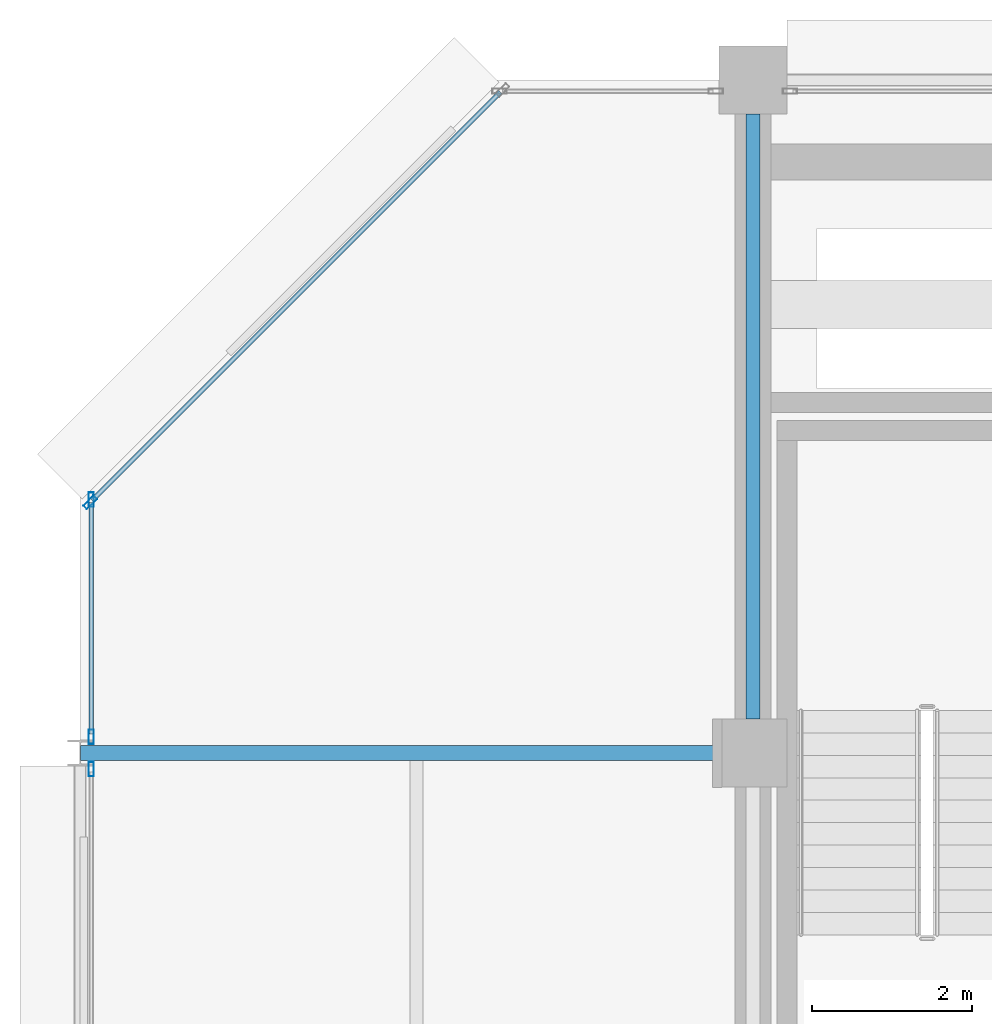
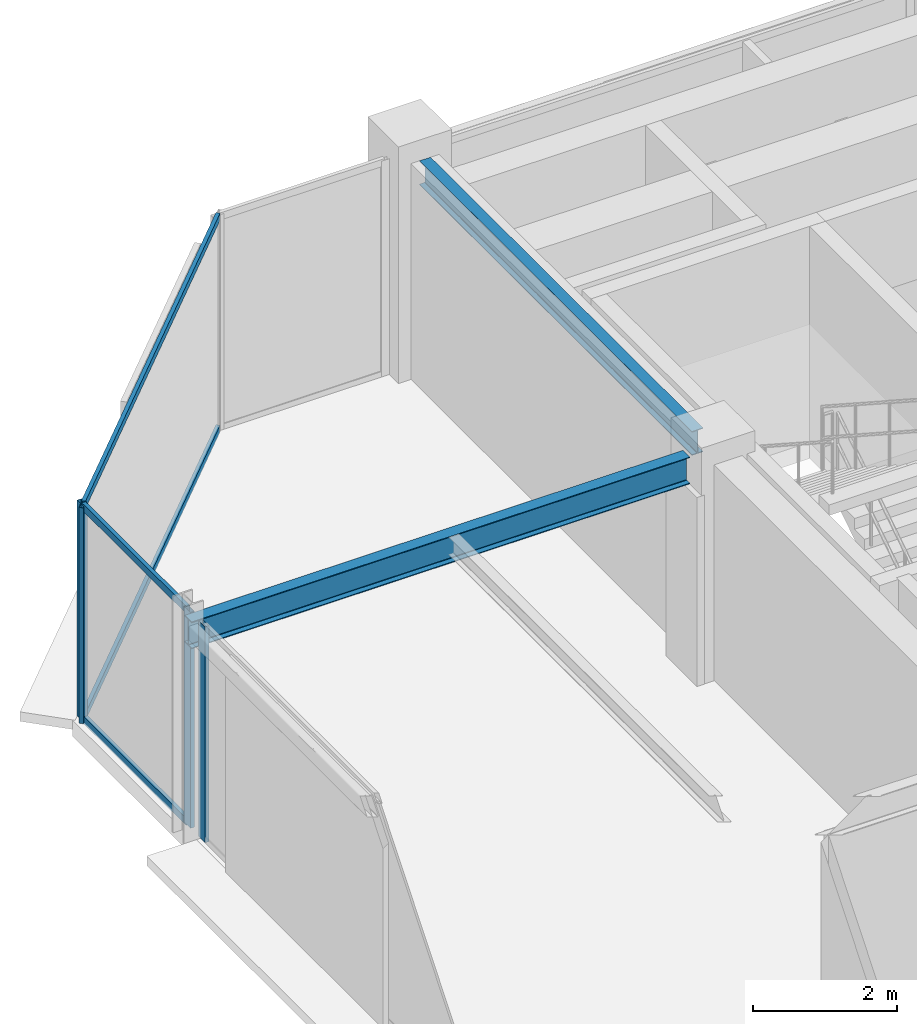
# One storey, part 16 of 25: 8 members, 2 beams, 3 elements without a shape of their own.
"""IFC4 building model written with IfcOpenShell, lengths in metres."""

from ifc_helpers import new_model, si_unit, direction, frame, origin, origin_2d, place, context, subcontext, project, spatial, hollow_rectangle, i_section, extrude, material, layer, layer_set, material_profile, profile_set, type_object, element, aggregate, save


model = new_model("IFC4")

# Units and contexts
model_context = context("Model", 3, precision=1e-05, world=origin(), true_north=direction((0.0, 1.0)))
body_context = subcontext(model_context, "Body", "Model", "MODEL_VIEW")
ifc_project = project(units=[si_unit("LENGTHUNIT", "METRE"), si_unit("AREAUNIT", "SQUARE_METRE"), si_unit("VOLUMEUNIT", "CUBIC_METRE"), si_unit("PLANEANGLEUNIT", "RADIAN"), si_unit("MASSUNIT", "GRAM", prefix="KILO")], contexts=[model_context])

# Site, building, storey
site_placement = place(None, origin())
site = spatial("IfcSite", under=ifc_project, at=site_placement, CompositionType="ELEMENT")
building_placement = place(site_placement, origin())
building = spatial("IfcBuilding", under=site, at=building_placement, Name="Nerrivon Quay Data Exchange", CompositionType="ELEMENT")
storey_placement = place(building_placement, frame((0.0, 0.0, 318.199951171875)))
storey = spatial("IfcBuildingStorey", under=building, at=storey_placement, Name="L76", CompositionType="ELEMENT", Elevation=318.199951171875)

# Beams
ifc_material_1 = material(Name="Steel Grade 350", Category="steel")
ifc_material_profile_1 = material_profile(ifc_material_1, i_section(OverallWidth=0.18994140625, OverallDepth=0.4541015625, WebThickness=0.008544921875, FlangeThickness=0.0126953125, FilletRadius=0.011474609375, at=origin_2d()), Name="460UB67.1")
ifc_profile_set_1 = profile_set([ifc_material_profile_1], Name="Steel Grade 350")
beam_type_1 = type_object("IfcBeamType", Name="BM-G6-460UB67", PredefinedType="BEAM", material=ifc_profile_set_1)
beam_1_placement = place(storey_placement, frame((0.0078125, 33.60009765625, 3.423095703125), z_axis=(1.0, 0.0, 0.0), x_axis=(0.0, 1.0, 0.0)))
element("IfcBeam", 1, at=beam_1_placement, inside=storey, type_object=beam_type_1, Name="L76 EW Girder Y=33.6 (0.0..8.4)", PredefinedType="BEAM", context=body_context, shape_type="SweptSolid", body=[
    extrude(i_section(OverallWidth=0.18994140625, OverallDepth=0.4541015625, WebThickness=0.008544921875, FlangeThickness=0.0126953125, FilletRadius=0.011474609375, at=origin_2d()), origin(), (0.0, 0.0, 1.0), 7.96728515625),
])
ifc_material_profile_2 = material_profile(ifc_material_1, i_section(OverallWidth=0.177978515625, OverallDepth=0.406005859375, WebThickness=0.0078125, FlangeThickness=0.0126953125, FilletRadius=0.011474609375, at=origin_2d()), Name="410UB59.7")
ifc_profile_set_2 = profile_set([ifc_material_profile_2], Name="Steel Grade 350")
beam_type_2 = type_object("IfcBeamType", Name="BM-J1-410UB60", PredefinedType="JOIST", material=ifc_profile_set_2)
beam_2_placement = place(storey_placement, frame((8.39990234375, 34.02490234375, 3.447021484375), z_axis=(0.0, 1.0, 0.0), x_axis=(-1.0, 0.0, 0.0)))
element("IfcBeam", 2, at=beam_2_placement, inside=storey, type_object=beam_type_2, Name="L76 NS Girder X=8.4 (33.6..42.0)", PredefinedType="JOIST", context=body_context, shape_type="SweptSolid", body=[
    extrude(i_section(OverallWidth=0.177978515625, OverallDepth=0.406005859375, WebThickness=0.0078125, FlangeThickness=0.0126953125, FilletRadius=0.011474609375, at=origin_2d()), origin(), (0.0, 0.0, 1.0), 7.550048828125),
])

# Curtain wall, member
ifc_material_2 = material(Name="Anodised aluminium 6063-T6", Category="aluminium")
ifc_layer = layer(ifc_material_2, 0.195068359375)
ifc_layer_set = layer_set([ifc_layer], Name="Anodised aluminium 6063-T6")
curtain_wall_type = type_object("IfcCurtainWallType", Name="CW-SYS-06", PredefinedType="NOTDEFINED", material=ifc_layer_set)
curtain_wall_1_placement = place(storey_placement, origin())
curtain_wall_1 = element("IfcCurtainWall", 3, at=curtain_wall_1_placement, inside=storey, type_object=curtain_wall_type, Name="L76 Unitised Curtain Wall 11", PredefinedType="NOTDEFINED")
ifc_material_profile_3 = material_profile(ifc_material_2, hollow_rectangle(XDim=0.06494140625, YDim=0.179931640625, WallThickness=0.00341796875, at=origin_2d()), Name="ALU-MULL-180x65")
ifc_profile_set_3 = profile_set([ifc_material_profile_3], Name="Anodised aluminium 6063-T6")
member_type_1 = type_object("IfcMemberType", Name="CWM-180x65", PredefinedType="MULLION", material=ifc_profile_set_3)
member_1_placement = place(storey_placement, frame((0.139892578125, 33.39892578125, 0.0), z_axis=(0.0, 0.0, 1.0), x_axis=(-1.0, 0.0, 0.0)))
member_1 = element("IfcMember", 4, at=member_1_placement, type_object=member_type_1, Name="CW06 mullion 2", PredefinedType="MULLION", context=body_context, shape_type="SweptSolid", body=[
    extrude(hollow_rectangle(XDim=0.06494140625, YDim=0.179931640625, WallThickness=0.00341796875, at=origin_2d()), origin(), (0.0, 0.0, 1.0), 3.650146484375),
])
aggregate(curtain_wall_1, [member_1])

# Curtain wall, members
curtain_wall_2_placement = place(storey_placement, origin())
curtain_wall_2 = element("IfcCurtainWall", 5, at=curtain_wall_2_placement, inside=storey, type_object=curtain_wall_type, Name="L76 Unitised Curtain Wall 12", PredefinedType="NOTDEFINED")
member_2_placement = place(storey_placement, frame((0.139892578125, 33.801025390625, 0.0), z_axis=(0.0, 0.0, 1.0), x_axis=(-1.0, 0.0, 0.0)))
member_2 = element("IfcMember", 6, at=member_2_placement, type_object=member_type_1, Name="CW06 mullion 1", PredefinedType="MULLION", context=body_context, shape_type="SweptSolid", body=[
    extrude(hollow_rectangle(XDim=0.06494140625, YDim=0.179931640625, WallThickness=0.00341796875, at=origin_2d()), origin(), (0.0, 0.0, 1.0), 3.650146484375),
])
member_3_placement = place(storey_placement, frame((0.139892578125, 36.762451171875, 0.0), z_axis=(0.0, 0.0, 1.0), x_axis=(-1.0, 0.0, 0.0)))
member_3 = element("IfcMember", 7, at=member_3_placement, type_object=member_type_1, Name="CW06 mullion 2", PredefinedType="MULLION", context=body_context, shape_type="SweptSolid", body=[
    extrude(hollow_rectangle(XDim=0.06494140625, YDim=0.179931640625, WallThickness=0.00341796875, at=origin_2d()), origin(), (0.0, 0.0, 1.0), 3.650146484375),
])

# Curtain wall, member
curtain_wall_3_placement = place(storey_placement, origin())
curtain_wall_3 = element("IfcCurtainWall", 8, at=curtain_wall_3_placement, inside=storey, type_object=curtain_wall_type, Name="L76 Unitised Curtain Wall 13", PredefinedType="NOTDEFINED")
member_4_placement = place(storey_placement, frame((0.12548828125, 36.7275390625, 0.0), z_axis=(0.0, 0.0, 1.0), x_axis=(-0.707106781187, 0.707106781187, 0.0)))
member_4 = element("IfcMember", 9, at=member_4_placement, type_object=member_type_1, Name="CW06 mullion 1", PredefinedType="MULLION", context=body_context, shape_type="SweptSolid", body=[
    extrude(hollow_rectangle(XDim=0.06494140625, YDim=0.179931640625, WallThickness=0.00341796875, at=origin_2d()), origin(), (0.0, 0.0, 1.0), 3.650146484375),
])

# Member
ifc_material_profile_4 = material_profile(ifc_material_2, hollow_rectangle(XDim=0.06005859375, YDim=0.1201171875, WallThickness=0.003173828125, at=origin_2d()), Name="ALU-TRAN-120x60")
ifc_profile_set_4 = profile_set([ifc_material_profile_4], Name="Anodised aluminium 6063-T6")
member_type_2 = type_object("IfcMemberType", Name="CWT-120x60", PredefinedType="USERDEFINED", material=ifc_profile_set_4)
member_5_placement = place(storey_placement, frame((0.139892578125, 33.83837890625, 0.032470703125), z_axis=(0.0, 1.0, 0.0), x_axis=(-1.0, 0.0, 0.0)))
member_5 = element("IfcMember", 10, at=member_5_placement, type_object=member_type_2, Name="CW06 transom 1.1", ObjectType="TRANSOM", PredefinedType="USERDEFINED", context=body_context, shape_type="SweptSolid", body=[
    extrude(hollow_rectangle(XDim=0.06005859375, YDim=0.1201171875, WallThickness=0.003173828125, at=origin_2d()), origin(), (0.0, 0.0, 1.0), 2.88671875),
])

member_6_placement = place(storey_placement, frame((0.139892578125, 33.83837890625, 3.617431640625), z_axis=(0.0, 1.0, 0.0), x_axis=(-1.0, 0.0, 0.0)))
member_6 = element("IfcMember", 11, at=member_6_placement, type_object=member_type_2, Name="CW06 transom 1.2", ObjectType="TRANSOM", PredefinedType="USERDEFINED", context=body_context, shape_type="SweptSolid", body=[
    extrude(hollow_rectangle(XDim=0.06005859375, YDim=0.1201171875, WallThickness=0.003173828125, at=origin_2d()), origin(), (0.0, 0.0, 1.0), 2.88671875),
])

aggregate(curtain_wall_2, [member_2, member_3, member_5, member_6])

member_7_placement = place(storey_placement, frame((0.152099609375, 36.754150390625, 0.032470703125), z_axis=(0.707106781187, 0.707106781187, 0.0), x_axis=(-0.707106781187, 0.707106781187, 0.0)))
member_7 = element("IfcMember", 12, at=member_7_placement, type_object=member_type_2, Name="CW06 transom 1.1", ObjectType="TRANSOM", PredefinedType="USERDEFINED", context=body_context, shape_type="SweptSolid", body=[
    extrude(hollow_rectangle(XDim=0.06005859375, YDim=0.1201171875, WallThickness=0.003173828125, at=origin_2d()), origin(), (0.0, 0.0, 1.0), 7.20361328125),
])

member_8_placement = place(storey_placement, frame((0.152099609375, 36.754150390625, 3.617431640625), z_axis=(0.707106781187, 0.707106781187, 0.0), x_axis=(-0.707106781187, 0.707106781187, 0.0)))
member_8 = element("IfcMember", 13, at=member_8_placement, type_object=member_type_2, Name="CW06 transom 1.2", ObjectType="TRANSOM", PredefinedType="USERDEFINED", context=body_context, shape_type="SweptSolid", body=[
    extrude(hollow_rectangle(XDim=0.06005859375, YDim=0.1201171875, WallThickness=0.003173828125, at=origin_2d()), origin(), (0.0, 0.0, 1.0), 7.20361328125),
])

aggregate(curtain_wall_3, [member_4, member_7, member_8])

save(model, "model.ifc")
